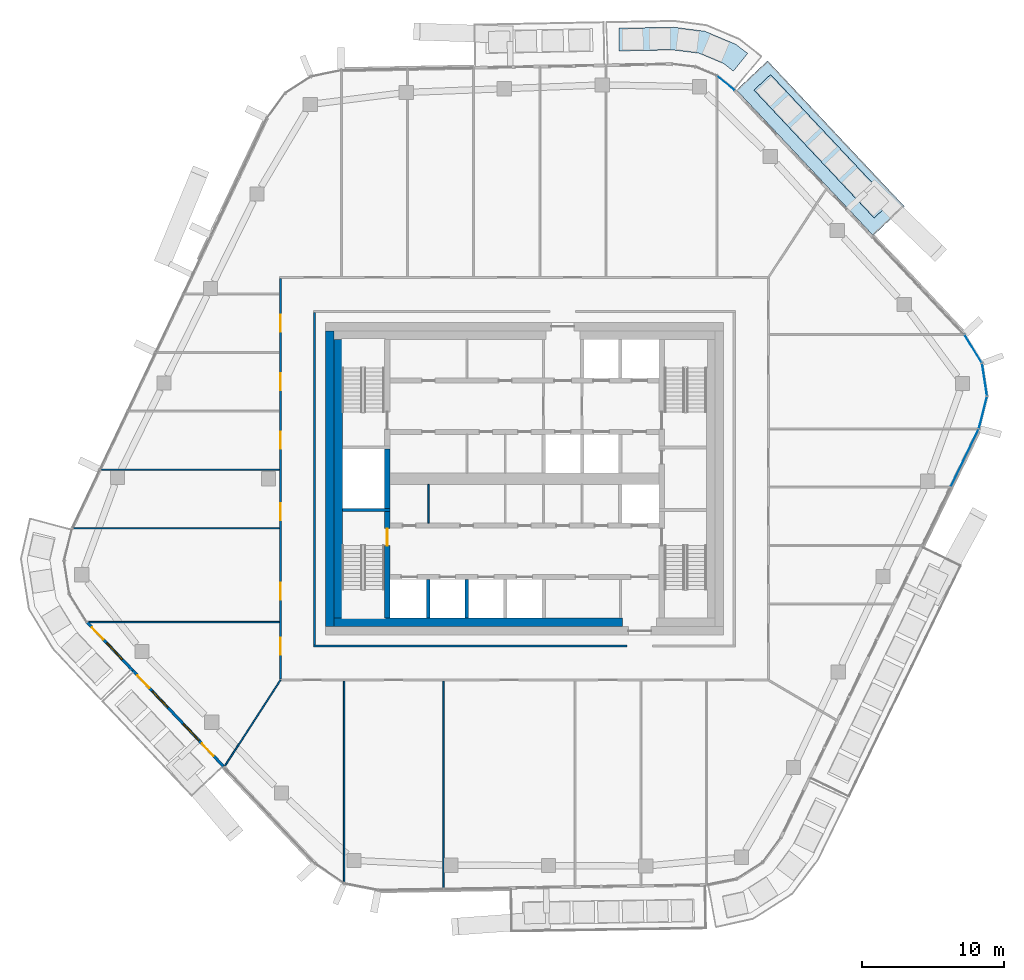
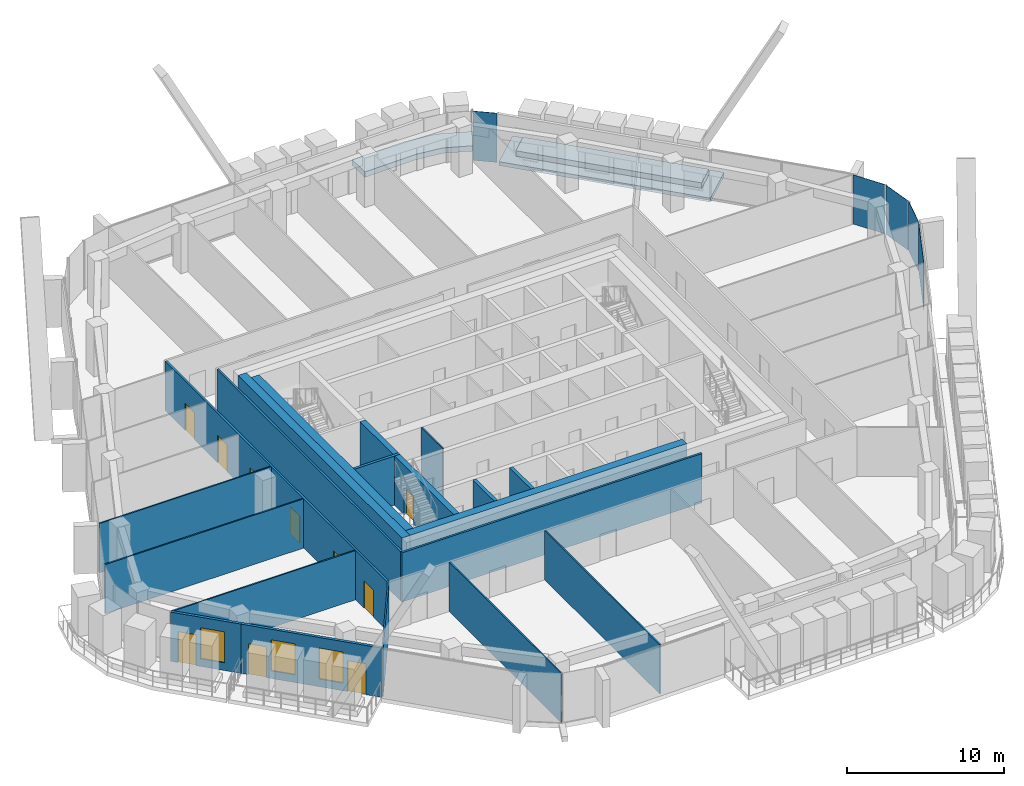
# One storey, part 12 of 24: 20 walls, 10 doors, 5 plates, 3 slabs, 3 windows, 13 openings, 3 elements without a shape of their own.
"""IFC4 building model written with IfcOpenShell, lengths in metres."""

from ifc_helpers import new_model, si_unit, direction, frame, frame_2d, origin, origin_2d, place, context, subcontext, project, spatial, polyline, rectangle, outline, extrude, material, layer, layer_set, type_object, element, fill, aggregate, save


model = new_model("IFC4")

# Units and contexts
model_context = context("Model", 3, precision=1e-05, world=origin(), true_north=direction((0.0, 1.0)))
body_context = subcontext(model_context, "Body", "Model", "MODEL_VIEW")
ifc_project = project(units=[si_unit("LENGTHUNIT", "METRE"), si_unit("AREAUNIT", "SQUARE_METRE"), si_unit("VOLUMEUNIT", "CUBIC_METRE"), si_unit("PLANEANGLEUNIT", "RADIAN"), si_unit("MASSUNIT", "GRAM", prefix="KILO")], contexts=[model_context])

# Site, building, storey
site_placement = place(None, origin())
site = spatial("IfcSite", under=ifc_project, at=site_placement, CompositionType="ELEMENT")
building_placement = place(site_placement, origin())
building = spatial("IfcBuilding", under=site, at=building_placement, Name="Dongbaek Canopy Tower", CompositionType="ELEMENT")
storey_placement = place(building_placement, frame((0.0, 0.0, 298.39990234375)))
storey = spatial("IfcBuildingStorey", under=building, at=storey_placement, Name="L63", CompositionType="ELEMENT", Elevation=298.39990234375)

# Slab
ifc_material_1 = material(Name="Concrete C40/50", Category="concrete")
ifc_layer_1 = layer(ifc_material_1, 0.300048828125)
ifc_layer_set_1 = layer_set([ifc_layer_1], Name="Balcony slab 300")
slab_type_1 = type_object("IfcSlabType", Name="Balcony slab 300", PredefinedType="FLOOR", material=ifc_layer_set_1)
slab_1_placement = place(storey_placement, frame((0.0, 0.0, -0.2998046875)))
element("IfcSlab", 1, at=slab_1_placement, inside=storey, type_object=slab_type_1, Name="Balcony L63 1", PredefinedType="FLOOR", context=body_context, shape_type="SweptSolid", body=[
    extrude(outline(polyline([(24.521240234375, 17.105224609375), (14.907958984375, 27.33447265625), (17.093994140625, 29.388916015625), (26.707275390625, 19.15966796875), (24.521240234375, 17.105224609375)])), origin(), (0.0, 0.0, 1.0), 0.2998046875),
])

# Curtain wall, plates
ifc_material_2 = material(Name="Aluminium 6063-T6 pale anodised", Category="aluminium")
ifc_layer_2 = layer(ifc_material_2, 0.199951171875)
ifc_layer_set_2 = layer_set([ifc_layer_2], Name="CW-1 unitised tower curtain wall")
curtain_wall_type = type_object("IfcCurtainWallType", Name="CW-1 unitised tower curtain wall", PredefinedType="NOTDEFINED", material=ifc_layer_set_2)
curtain_wall_1_placement = place(storey_placement, origin())
curtain_wall_1 = element("IfcCurtainWall", 2, at=curtain_wall_1_placement, inside=storey, type_object=curtain_wall_type, Name="CW-1 curtain wall K0.1", PredefinedType="NOTDEFINED")
ifc_material_3 = material(Name="Clear laminated glass", Category="glass")
ifc_layer_3 = layer(ifc_material_3, 0.028076171875)
ifc_layer_set_3 = layer_set([ifc_layer_3], Name="CW-1 glazed panel 28")
plate_type = type_object("IfcPlateType", Name="CW-1 glazed panel 28", PredefinedType="CURTAIN_PANEL", material=ifc_layer_set_3)
plate_1_placement = place(storey_placement, frame((32.23583984375, 4.656494140625, 0.0), z_axis=(0.0, 0.0, 1.0), x_axis=(0.247503311967, 0.968887047372, 0.0)))
plate_1 = element("IfcPlate", 3, at=plate_1_placement, type_object=plate_type, Name="CW-1 panel K0.1.1.1", PredefinedType="CURTAIN_PANEL", context=body_context, shape_type="SweptSolid", body=[
    extrude(rectangle(XDim=2.280029296875, YDim=0.028076171875, at=origin_2d()), origin(), (0.0, 0.0, 1.0), 3.820068359375),
])
plate_2_placement = place(storey_placement, frame((32.3505859375, 6.965087890625, 0.0), z_axis=(0.0, 0.0, 1.0), x_axis=(-0.151105947634, 0.988517573233, 0.0)))
plate_2 = element("IfcPlate", 4, at=plate_2_placement, type_object=plate_type, Name="CW-1 panel K0.1.2.1", PredefinedType="CURTAIN_PANEL", context=body_context, shape_type="SweptSolid", body=[
    extrude(rectangle(XDim=2.269775390625, YDim=0.028076171875, at=origin_2d()), origin(), (0.0, 0.0, 1.0), 3.820068359375),
])
plate_3_placement = place(storey_placement, frame((31.551513671875, 9.134033203125, 0.0), z_axis=(0.0, 0.0, 1.0), x_axis=(-0.525647852836, 0.850702259789, 0.0)))
plate_3 = element("IfcPlate", 5, at=plate_3_placement, type_object=plate_type, Name="CW-1 panel K0.1.3.1", PredefinedType="CURTAIN_PANEL", context=body_context, shape_type="SweptSolid", body=[
    extrude(rectangle(XDim=2.280029296875, YDim=0.028076171875, at=origin_2d()), origin(), (0.0, 0.0, 1.0), 3.820068359375),
])
aggregate(curtain_wall_1, [plate_1, plate_2, plate_3])

# Curtain wall, plate
curtain_wall_2_placement = place(storey_placement, origin())
curtain_wall_2 = element("IfcCurtainWall", 6, at=curtain_wall_2_placement, inside=storey, type_object=curtain_wall_type, Name="CW-1 curtain wall K1.1", PredefinedType="NOTDEFINED")
plate_4_placement = place(storey_placement, frame((14.164794921875, 27.8125, 0.0), z_axis=(0.0, 0.0, 1.0), x_axis=(-0.779328281128, 0.626615855396, 0.0)))
plate_4 = element("IfcPlate", 7, at=plate_4_placement, type_object=plate_type, Name="CW-1 panel K1.1.1.1", PredefinedType="CURTAIN_PANEL", context=body_context, shape_type="SweptSolid", body=[
    extrude(rectangle(XDim=1.560302734375, YDim=0.028076171875, at=origin_2d()), origin(), (0.0, 0.0, 1.0), 3.820068359375),
])
aggregate(curtain_wall_2, [plate_4])

curtain_wall_3_placement = place(storey_placement, origin())
curtain_wall_3 = element("IfcCurtainWall", 8, at=curtain_wall_3_placement, inside=storey, type_object=curtain_wall_type, Name="CW-1 curtain wall F5.1", PredefinedType="NOTDEFINED")
plate_5_placement = place(storey_placement, frame((30.951416015625, 1.462646484375, 0.1201171875), z_axis=(0.0, 0.0, 1.0), x_axis=(0.435863332121, 0.900012864193, 0.0)))
plate_5 = element("IfcPlate", 9, at=plate_5_placement, type_object=plate_type, Name="CW-1 panel F5.1.2.1", PredefinedType="CURTAIN_PANEL", context=body_context, shape_type="SweptSolid", body=[
    extrude(rectangle(XDim=4.468017578125, YDim=0.028076171875, at=origin_2d()), origin(), (0.0, 0.0, 1.0), 3.699951171875),
])
aggregate(curtain_wall_3, [plate_5])

# Slabs
ifc_material_4 = material(Name="Reinforced concrete C40/50 planter box with soil", Category="concrete")
ifc_layer_4 = layer(ifc_material_4, 0.419921875)
ifc_layer_set_4 = layer_set([ifc_layer_4], Name="Terrace planter box 1600 x 420")
slab_type_2 = type_object("IfcSlabType", Name="Terrace planter box 1600 x 420", PredefinedType="USERDEFINED", material=ifc_layer_set_4)
slab_2_placement = place(storey_placement, origin())
element("IfcSlab", 10, at=slab_2_placement, inside=storey, type_object=slab_type_2, Name="Balcony planter L63 1", ObjectType="PLANTER", PredefinedType="USERDEFINED", context=body_context, shape_type="SweptSolid", body=[
    extrude(outline(polyline([(24.587646484375, 18.334228515625), (16.138427734375, 27.324462890625), (17.304443359375, 28.420166015625), (25.75341796875, 19.429931640625), (24.587646484375, 18.334228515625)])), origin(), (0.0, 0.0, 1.0), 0.420166015625),
])
slab_3_placement = place(storey_placement, origin())
element("IfcSlab", 11, at=slab_3_placement, inside=storey, type_object=slab_type_2, Name="Balcony planter L63 6", ObjectType="PLANTER", PredefinedType="USERDEFINED", context=body_context, shape_type="SweptSolid", body=[
    extrude(outline(polyline([(14.69091796875, 28.65966796875), (14.03173828125, 29.1787109375), (12.26953125, 29.921142578125), (10.43310546875, 30.149658203125), (6.666015625, 30.08056640625), (6.6357421875, 31.68017578125), (10.51416015625, 31.74755859375), (12.68017578125, 31.467529296875), (14.851806640625, 30.552490234375), (15.693603515625, 29.90673828125), (14.69091796875, 28.65966796875)])), origin(), (0.0, 0.0, 1.0), 0.420166015625),
])

# Walls
ifc_material_5 = material(Name="Concrete C80/95", Category="concrete")
ifc_layer_5 = layer(ifc_material_5, 0.60009765625)
ifc_layer_set_5 = layer_set([ifc_layer_5], Name="Core outer wall 600 Concrete C80/95")
wall_type_1 = type_object("IfcWallType", Name="Core outer wall 600 Concrete C80/95", PredefinedType="SHEAR", material=ifc_layer_set_5)
wall_1_placement = place(storey_placement, frame((-13.699951171875, -10.39990234375, 0.0), z_axis=(0.0, 0.0, 1.0), x_axis=(0.0, 1.0, 0.0)))
element("IfcWall", 12, at=wall_1_placement, inside=storey, type_object=wall_type_1, Name="Core wall", PredefinedType="SHEAR", context=body_context, shape_type="SweptSolid", body=[
    extrude(rectangle(XDim=20.7998046875, YDim=0.60009765625, at=frame_2d((10.39990234375, 0.0))), origin(), (0.0, 0.0, 1.0), 3.820068359375),
])
ifc_material_6 = material(Name="Concrete C60/75", Category="concrete")
ifc_layer_6 = layer(ifc_material_6, 0.60009765625)
ifc_layer_set_6 = layer_set([ifc_layer_6], Name="Core wall lining 600 Concrete C60/75")
wall_type_2 = type_object("IfcWallType", Name="Core wall lining 600 Concrete C60/75", PredefinedType="SHEAR", material=ifc_layer_set_6)
wall_2_placement = place(storey_placement, frame((6.89990234375, -10.10009765625, 0.0), z_axis=(0.0, 0.0, 1.0), x_axis=(-1.0, 0.0, 0.0)))
element("IfcWall", 13, at=wall_2_placement, inside=storey, type_object=wall_type_2, Name="Core wall lining", PredefinedType="SHEAR", context=body_context, shape_type="SweptSolid", body=[
    extrude(rectangle(XDim=20.2998046875, YDim=0.60009765625, at=frame_2d((10.14990234375, 0.0))), origin(), (0.0, 0.0, 1.0), 3.820068359375),
])
wall_3_placement = place(storey_placement, frame((-13.10009765625, -9.800048828125, 0.0), z_axis=(0.0, 0.0, 1.0), x_axis=(0.0, 1.0, 0.0)))
element("IfcWall", 14, at=wall_3_placement, inside=storey, type_object=wall_type_2, Name="Core wall lining", PredefinedType="SHEAR", context=body_context, shape_type="SweptSolid", body=[
    extrude(rectangle(XDim=19.60009765625, YDim=0.60009765625, at=frame_2d((9.800048828125, 0.0))), origin(), (0.0, 0.0, 1.0), 3.820068359375),
])
ifc_material_7 = material(Name="Gypsum board partition, steel stud, 2 x 15 mm fire board", Category="steel")
ifc_layer_7 = layer(ifc_material_7, 0.14990234375)
ifc_layer_set_7 = layer_set([ifc_layer_7], Name="Fire-rated partition 150 gypsum board")
wall_type_3 = type_object("IfcWallType", Name="Fire-rated partition 150 gypsum board", PredefinedType="PARTITIONING", material=ifc_layer_set_7)
wall_4_placement = place(storey_placement, frame((-14.824951171875, -11.75, 0.0), z_axis=(0.0, 0.0, 1.0), x_axis=(1.0, 0.0, 0.0)))
element("IfcWall", 15, at=wall_4_placement, inside=storey, type_object=wall_type_3, Name="Corridor partition", PredefinedType="PARTITIONING", context=body_context, shape_type="SweptSolid", body=[
    extrude(rectangle(XDim=22.02490234375, YDim=0.14990234375, at=frame_2d((11.012451171875, 0.0))), origin(), (0.0, 0.0, 1.0), 3.820068359375),
])
wall_5_placement = place(storey_placement, frame((-14.75, -11.675048828125, 0.0), z_axis=(0.0, 0.0, 1.0), x_axis=(0.0, 1.0, 0.0)))
element("IfcWall", 16, at=wall_5_placement, inside=storey, type_object=wall_type_3, Name="Corridor partition", PredefinedType="PARTITIONING", context=body_context, shape_type="SweptSolid", body=[
    extrude(rectangle(XDim=23.35009765625, YDim=0.14990234375, at=frame_2d((11.675048828125, 0.0))), origin(), (0.0, 0.0, 1.0), 3.820068359375),
])

# Wall, openings, doors
wall_6_placement = place(storey_placement, frame((-17.14990234375, -14.074951171875, 0.0), z_axis=(0.0, 0.0, 1.0), x_axis=(0.0, 1.0, 0.0)))
wall_6 = element("IfcWall", 17, at=wall_6_placement, inside=storey, type_object=wall_type_3, Name="Corridor partition", PredefinedType="PARTITIONING", context=body_context, shape_type="SweptSolid", body=[
    extrude(rectangle(XDim=28.14990234375, YDim=0.14990234375, at=frame_2d((14.074951171875, 0.0))), origin(), (0.0, 0.0, 1.0), 3.820068359375),
])
opening_1_placement = place(wall_6_placement, frame((11.151123046875, 0.0, 0.0)))
opening_1 = element("IfcOpeningElement", 18, at=opening_1_placement, cuts=wall_6, Name="Opening L63-D001", PredefinedType="OPENING", context=body_context, shape_type="SweptSolid", body=[
    extrude(rectangle(XDim=1.199951171875, YDim=2.10009765625, at=frame_2d((0.60009765625, 1.050048828125))), frame((0.0, 0.0849609375, 0.0), z_axis=(0.0, -1.0, 0.0), x_axis=(1.0, 0.0, 0.0)), (0.0, 0.0, 1.0), 0.169921875),
])
opening_2_placement = place(wall_6_placement, frame((5.5546875, 0.0, 0.0)))
opening_2 = element("IfcOpeningElement", 19, at=opening_2_placement, cuts=wall_6, Name="Opening L63-D002", PredefinedType="OPENING", context=body_context, shape_type="SweptSolid", body=[
    extrude(rectangle(XDim=1.199951171875, YDim=2.10009765625, at=frame_2d((0.60009765625, 1.050048828125))), frame((0.0, 0.0849609375, 0.0), z_axis=(0.0, -1.0, 0.0), x_axis=(1.0, 0.0, 0.0)), (0.0, 0.0, 1.0), 0.169921875),
])
opening_3_placement = place(wall_6_placement, frame((1.7001953125, 0.0, 0.0)))
opening_3 = element("IfcOpeningElement", 20, at=opening_3_placement, cuts=wall_6, Name="Opening L63-D003", PredefinedType="OPENING", context=body_context, shape_type="SweptSolid", body=[
    extrude(rectangle(XDim=1.199951171875, YDim=2.10009765625, at=frame_2d((0.60009765625, 1.050048828125))), frame((0.0, 0.0849609375, 0.0), z_axis=(0.0, -1.0, 0.0), x_axis=(1.0, 0.0, 0.0)), (0.0, 0.0, 1.0), 0.169921875),
])
opening_4_placement = place(wall_6_placement, frame((24.40966796875, 0.0, 0.0)))
opening_4 = element("IfcOpeningElement", 21, at=opening_4_placement, cuts=wall_6, Name="Opening L63-D023", PredefinedType="OPENING", context=body_context, shape_type="SweptSolid", body=[
    extrude(rectangle(XDim=1.199951171875, YDim=2.10009765625, at=frame_2d((0.60009765625, 1.050048828125))), frame((0.0, 0.0849609375, 0.0), z_axis=(0.0, -1.0, 0.0), x_axis=(1.0, 0.0, 0.0)), (0.0, 0.0, 1.0), 0.169921875),
])
opening_5_placement = place(wall_6_placement, frame((20.2900390625, 0.0, 0.0)))
opening_5 = element("IfcOpeningElement", 22, at=opening_5_placement, cuts=wall_6, Name="Opening L63-D024", PredefinedType="OPENING", context=body_context, shape_type="SweptSolid", body=[
    extrude(rectangle(XDim=1.199951171875, YDim=2.10009765625, at=frame_2d((0.60009765625, 1.050048828125))), frame((0.0, 0.0849609375, 0.0), z_axis=(0.0, -1.0, 0.0), x_axis=(1.0, 0.0, 0.0)), (0.0, 0.0, 1.0), 0.169921875),
])
opening_6_placement = place(wall_6_placement, frame((16.17041015625, 0.0, 0.0)))
opening_6 = element("IfcOpeningElement", 23, at=opening_6_placement, cuts=wall_6, Name="Opening L63-D025", PredefinedType="OPENING", context=body_context, shape_type="SweptSolid", body=[
    extrude(rectangle(XDim=1.199951171875, YDim=2.10009765625, at=frame_2d((0.60009765625, 1.050048828125))), frame((0.0, 0.0849609375, 0.0), z_axis=(0.0, -1.0, 0.0), x_axis=(1.0, 0.0, 0.0)), (0.0, 0.0, 1.0), 0.169921875),
])
ifc_material_8 = material(Name="Timber veneered door leaf", Category="wood")
door_type_1 = type_object("IfcDoorType", Name="Room door 1200 x 2100", OperationType="SINGLE_SWING_LEFT", PredefinedType="DOOR", material=ifc_material_8)
door_1_placement = place(opening_1_placement, origin())
door_1 = element("IfcDoor", 24, at=door_1_placement, inside=storey, type_object=door_type_1, Name="Door L63-D001", OperationType="SINGLE_SWING_RIGHT", OverallHeight=2.10009765625, OverallWidth=1.199951171875, PredefinedType="DOOR", context=body_context, shape_type="SweptSolid", body=[
    extrude(rectangle(XDim=1.199951171875, YDim=2.10009765625, at=frame_2d((0.60009765625, 1.050048828125))), frame((0.0, 0.02490234375, 0.0), z_axis=(0.0, -1.0, 0.0), x_axis=(1.0, 0.0, 0.0)), (0.0, 0.0, 1.0), 0.050048828125),
])
fill(opening_1, door_1)
door_2_placement = place(opening_2_placement, origin())
door_2 = element("IfcDoor", 25, at=door_2_placement, inside=storey, type_object=door_type_1, Name="Door L63-D002", OperationType="SINGLE_SWING_LEFT", OverallHeight=2.10009765625, OverallWidth=1.199951171875, PredefinedType="DOOR", context=body_context, shape_type="SweptSolid", body=[
    extrude(rectangle(XDim=1.199951171875, YDim=2.10009765625, at=frame_2d((0.60009765625, 1.050048828125))), frame((0.0, 0.02490234375, 0.0), z_axis=(0.0, -1.0, 0.0), x_axis=(1.0, 0.0, 0.0)), (0.0, 0.0, 1.0), 0.050048828125),
])
fill(opening_2, door_2)
door_3_placement = place(opening_3_placement, origin())
door_3 = element("IfcDoor", 26, at=door_3_placement, inside=storey, type_object=door_type_1, Name="Door L63-D003", OperationType="SINGLE_SWING_RIGHT", OverallHeight=2.10009765625, OverallWidth=1.199951171875, PredefinedType="DOOR", context=body_context, shape_type="SweptSolid", body=[
    extrude(rectangle(XDim=1.199951171875, YDim=2.10009765625, at=frame_2d((0.60009765625, 1.050048828125))), frame((0.0, 0.02490234375, 0.0), z_axis=(0.0, -1.0, 0.0), x_axis=(1.0, 0.0, 0.0)), (0.0, 0.0, 1.0), 0.050048828125),
])
fill(opening_3, door_3)
door_4_placement = place(opening_4_placement, origin())
door_4 = element("IfcDoor", 27, at=door_4_placement, inside=storey, type_object=door_type_1, Name="Door L63-D023", OperationType="SINGLE_SWING_RIGHT", OverallHeight=2.10009765625, OverallWidth=1.199951171875, PredefinedType="DOOR", context=body_context, shape_type="SweptSolid", body=[
    extrude(rectangle(XDim=1.199951171875, YDim=2.10009765625, at=frame_2d((0.60009765625, 1.050048828125))), frame((0.0, 0.02490234375, 0.0), z_axis=(0.0, -1.0, 0.0), x_axis=(1.0, 0.0, 0.0)), (0.0, 0.0, 1.0), 0.050048828125),
])
fill(opening_4, door_4)
door_5_placement = place(opening_5_placement, origin())
door_5 = element("IfcDoor", 28, at=door_5_placement, inside=storey, type_object=door_type_1, Name="Door L63-D024", OperationType="SINGLE_SWING_LEFT", OverallHeight=2.10009765625, OverallWidth=1.199951171875, PredefinedType="DOOR", context=body_context, shape_type="SweptSolid", body=[
    extrude(rectangle(XDim=1.199951171875, YDim=2.10009765625, at=frame_2d((0.60009765625, 1.050048828125))), frame((0.0, 0.02490234375, 0.0), z_axis=(0.0, -1.0, 0.0), x_axis=(1.0, 0.0, 0.0)), (0.0, 0.0, 1.0), 0.050048828125),
])
fill(opening_5, door_5)
door_6_placement = place(opening_6_placement, origin())
door_6 = element("IfcDoor", 29, at=door_6_placement, inside=storey, type_object=door_type_1, Name="Door L63-D025", OperationType="SINGLE_SWING_RIGHT", OverallHeight=2.10009765625, OverallWidth=1.199951171875, PredefinedType="DOOR", context=body_context, shape_type="SweptSolid", body=[
    extrude(rectangle(XDim=1.199951171875, YDim=2.10009765625, at=frame_2d((0.60009765625, 1.050048828125))), frame((0.0, 0.02490234375, 0.0), z_axis=(0.0, -1.0, 0.0), x_axis=(1.0, 0.0, 0.0)), (0.0, 0.0, 1.0), 0.050048828125),
])
fill(opening_6, door_6)

# Walls
ifc_material_9 = material(Name="Concrete C40/50", Category="concrete")
ifc_layer_8 = layer(ifc_material_9, 0.25)
ifc_layer_set_8 = layer_set([ifc_layer_8], Name="Lift shaft wall 250 Concrete C40/50")
wall_type_4 = type_object("IfcWallType", Name="Lift shaft wall 250 Concrete C40/50", PredefinedType="SOLIDWALL", material=ifc_layer_set_8)
for number, where, z_axis, x_axis, name in (
    (30, (-4.050048828125, -9.800048828125, 0.0), (0.0, 0.0, 1.0), (0.0, 1.0, 0.0), "Lift shaft wall"),
    (31, (-6.75, -9.800048828125, 0.0), (0.0, 0.0, 1.0), (0.0, 1.0, 0.0), "Lift shaft wall"),
):
    element("IfcWall", number, at=place(storey_placement, frame(where, z_axis=z_axis, x_axis=x_axis)), inside=storey, type_object=wall_type_4, Name=name, PredefinedType="SOLIDWALL", context=body_context, shape_type="SweptSolid", body=[
        extrude(rectangle(XDim=2.72509765625, YDim=0.25, at=frame_2d((1.362548828125, 0.0))), origin(), (0.0, 0.0, 1.0), 3.820068359375),
    ])
ifc_material_10 = material(Name="Gypsum board partition, steel stud, 2 x 12.5 mm board", Category="steel")
ifc_layer_9 = layer(ifc_material_10, 0.10009765625)
ifc_layer_set_9 = layer_set([ifc_layer_9], Name="Partition 100 gypsum board")
wall_type_5 = type_object("IfcWallType", Name="Partition 100 gypsum board", PredefinedType="PARTITIONING", material=ifc_layer_set_9)
wall_7_placement = place(storey_placement, frame((-30.7255859375, -10.0791015625, 0.0), z_axis=(0.0, 0.0, 1.0), x_axis=(1.0, 0.0, 0.0)))
element("IfcWall", 32, at=wall_7_placement, inside=storey, type_object=wall_type_5, Name="Partition", PredefinedType="PARTITIONING", context=body_context, shape_type="SweptSolid", body=[
    extrude(rectangle(XDim=13.50048828125, YDim=0.10009765625, at=frame_2d((6.750244140625, 0.0))), origin(), (0.0, 0.0, 1.0), 3.820068359375),
])
wall_8_placement = place(storey_placement, frame((-31.777099609375, -3.47509765625, 0.0), z_axis=(0.0, 0.0, 1.0), x_axis=(1.0, 0.0, 0.0)))
element("IfcWall", 33, at=wall_8_placement, inside=storey, type_object=wall_type_5, Name="Partition", PredefinedType="PARTITIONING", context=body_context, shape_type="SweptSolid", body=[
    extrude(rectangle(XDim=14.552001953125, YDim=0.10009765625, at=frame_2d((7.27587890625, 0.0))), origin(), (0.0, 0.0, 1.0), 3.820068359375),
])
wall_9_placement = place(storey_placement, frame((-29.82421875, 0.635009765625, 0.0), z_axis=(0.0, 0.0, 1.0), x_axis=(1.0, 0.0, 0.0)))
element("IfcWall", 34, at=wall_9_placement, inside=storey, type_object=wall_type_5, Name="Partition", PredefinedType="PARTITIONING", context=body_context, shape_type="SweptSolid", body=[
    extrude(rectangle(XDim=12.59912109375, YDim=0.10009765625, at=frame_2d((6.299560546875, 0.0))), origin(), (0.0, 0.0, 1.0), 3.820068359375),
])
wall_10_placement = place(storey_placement, frame((-21.09912109375, -20.251953125, 0.0), z_axis=(0.0, 0.0, 1.0), x_axis=(0.543308378863, 0.839533206882, 0.0)))
element("IfcWall", 35, at=wall_10_placement, inside=storey, type_object=wall_type_5, Name="Partition", PredefinedType="PARTITIONING", context=body_context, shape_type="SweptSolid", body=[
    extrude(rectangle(XDim=7.268310546875, YDim=0.10009765625, at=frame_2d((3.63427734375, 0.0))), origin(), (0.0, 0.0, 1.0), 3.820068359375),
])
wall_11_placement = place(storey_placement, frame((-5.677001953125, -28.81982421875, 0.0), z_axis=(0.0, 0.0, 1.0), x_axis=(0.0, 1.0, 0.0)))
element("IfcWall", 36, at=wall_11_placement, inside=storey, type_object=wall_type_5, Name="Partition", PredefinedType="PARTITIONING", context=body_context, shape_type="SweptSolid", body=[
    extrude(rectangle(XDim=14.5947265625, YDim=0.10009765625, at=frame_2d((7.29736328125, 0.0))), origin(), (0.0, 0.0, 1.0), 3.820068359375),
])
wall_12_placement = place(storey_placement, frame((-12.680908203125, -28.424072265625, 0.0), z_axis=(0.0, 0.0, 1.0), x_axis=(0.0, 1.0, 0.0)))
element("IfcWall", 37, at=wall_12_placement, inside=storey, type_object=wall_type_5, Name="Partition", PredefinedType="PARTITIONING", context=body_context, shape_type="SweptSolid", body=[
    extrude(rectangle(XDim=14.198974609375, YDim=0.10009765625, at=frame_2d((7.099609375, 0.0))), origin(), (0.0, 0.0, 1.0), 3.820068359375),
])
wall_13_placement = place(storey_placement, frame((-6.75, -3.125, 0.0), z_axis=(0.0, 0.0, 1.0), x_axis=(0.0, 1.0, 0.0)))
element("IfcWall", 38, at=wall_13_placement, inside=storey, type_object=wall_type_5, Name="Core partition", PredefinedType="PARTITIONING", context=body_context, shape_type="SweptSolid", body=[
    extrude(rectangle(XDim=2.72509765625, YDim=0.10009765625, at=frame_2d((1.362548828125, 0.0))), origin(), (0.0, 0.0, 1.0), 3.820068359375),
])
ifc_material_11 = material(Name="Concrete C60/75", Category="concrete")
ifc_layer_10 = layer(ifc_material_11, 0.199951171875)
ifc_layer_set_10 = layer_set([ifc_layer_10], Name="Riser wall 200 Concrete C60/75")
wall_type_6 = type_object("IfcWallType", Name="Riser wall 200 Concrete C60/75", PredefinedType="SHEAR", material=ifc_layer_set_10)
wall_14_placement = place(storey_placement, frame((-9.449951171875, -2.199951171875, 0.0), z_axis=(0.0, 0.0, 1.0), x_axis=(-1.0, 0.0, 0.0)))
element("IfcWall", 39, at=wall_14_placement, inside=storey, type_object=wall_type_6, Name="Riser wall", PredefinedType="SHEAR", context=body_context, shape_type="SweptSolid", body=[
    extrude(rectangle(XDim=3.35009765625, YDim=0.199951171875, at=frame_2d((1.675048828125, 0.0))), origin(), (0.0, 0.0, 1.0), 3.820068359375),
])

# Wall, opening, door
ifc_material_12 = material(Name="Concrete C60/75", Category="concrete")
ifc_layer_11 = layer(ifc_material_12, 0.39990234375)
ifc_layer_set_11 = layer_set([ifc_layer_11], Name="Stair wall 400 Concrete C60/75")
wall_type_7 = type_object("IfcWallType", Name="Stair wall 400 Concrete C60/75", PredefinedType="SHEAR", material=ifc_layer_set_11)
wall_15_placement = place(storey_placement, frame((-9.64990234375, -9.800048828125, 0.0), z_axis=(0.0, 0.0, 1.0), x_axis=(0.0, 1.0, 0.0)))
wall_15 = element("IfcWall", 40, at=wall_15_placement, inside=storey, type_object=wall_type_7, Name="Stair wall", PredefinedType="SHEAR", context=body_context, shape_type="SweptSolid", body=[
    extrude(rectangle(XDim=7.5, YDim=0.39990234375, at=frame_2d((3.75, 0.0))), origin(), (0.0, 0.0, 1.0), 3.820068359375),
])
opening_7_placement = place(wall_15_placement, frame((5.10009765625, 0.0, 0.0)))
opening_7 = element("IfcOpeningElement", 41, at=opening_7_placement, cuts=wall_15, Name="Opening L63-D055", PredefinedType="OPENING", context=body_context, shape_type="SweptSolid", body=[
    extrude(rectangle(XDim=1.199951171875, YDim=2.10009765625, at=frame_2d((0.60009765625, 1.050048828125))), frame((0.0, 0.2099609375, 0.0), z_axis=(0.0, -1.0, 0.0), x_axis=(1.0, 0.0, 0.0)), (0.0, 0.0, 1.0), 0.419921875),
])
ifc_material_13 = material(Name="Steel", Category="steel")
door_type_2 = type_object("IfcDoorType", Name="Stair door 1200 x 2100", OperationType="SINGLE_SWING_LEFT", PredefinedType="DOOR", material=ifc_material_13)
door_7_placement = place(opening_7_placement, origin())
door_7 = element("IfcDoor", 42, at=door_7_placement, inside=storey, type_object=door_type_2, Name="Stair D door", OperationType="SINGLE_SWING_LEFT", OverallHeight=2.10009765625, OverallWidth=1.199951171875, PredefinedType="DOOR", context=body_context, shape_type="SweptSolid", body=[
    extrude(rectangle(XDim=1.199951171875, YDim=2.10009765625, at=frame_2d((0.60009765625, 1.050048828125))), frame((0.0, 0.02490234375, 0.0), z_axis=(0.0, -1.0, 0.0), x_axis=(1.0, 0.0, 0.0)), (0.0, 0.0, 1.0), 0.050048828125),
])
fill(opening_7, door_7)

# Wall
wall_16_placement = place(storey_placement, frame((-9.64990234375, -2.10009765625, 0.0), z_axis=(0.0, 0.0, 1.0), x_axis=(0.0, 1.0, 0.0)))
element("IfcWall", 43, at=wall_16_placement, inside=storey, type_object=wall_type_7, Name="Stair wall", PredefinedType="SHEAR", context=body_context, shape_type="SweptSolid", body=[
    extrude(rectangle(XDim=4.2001953125, YDim=0.39990234375, at=frame_2d((2.10009765625, 0.0))), origin(), (0.0, 0.0, 1.0), 3.820068359375),
])

# Wall, openings, doors, windows
ifc_material_14 = material(Name="Aluminium window wall", Category="aluminium")
ifc_layer_12 = layer(ifc_material_14, 0.199951171875)
ifc_layer_set_12 = layer_set([ifc_layer_12], Name="Window wall 200")
wall_type_8 = type_object("IfcWallType", Name="Window wall 200", PredefinedType="SOLIDWALL", material=ifc_layer_set_12)
wall_17_placement = place(storey_placement, frame((-27.54345703125, -13.470703125, 0.0), z_axis=(0.0, 0.0, 1.0), x_axis=(0.687314061727, -0.726360365488, 0.0)))
wall_17 = element("IfcWall", 44, at=wall_17_placement, inside=storey, type_object=wall_type_8, Name="Window wall L63 3", PredefinedType="SOLIDWALL", context=body_context, shape_type="SweptSolid", body=[
    extrude(rectangle(XDim=9.360107421875, YDim=0.199951171875, at=frame_2d((4.68017578125, 0.0))), origin(), (0.0, 0.0, 1.0), 3.820068359375),
])
opening_8_placement = place(wall_17_placement, frame((2.0, 0.0, 0.60009765625)))
opening_8 = element("IfcOpeningElement", 45, at=opening_8_placement, cuts=wall_17, Name="Opening W1", PredefinedType="OPENING", context=body_context, shape_type="SweptSolid", body=[
    extrude(rectangle(XDim=1.60009765625, YDim=2.39990234375, at=frame_2d((0.800048828125, 1.199951171875))), frame((0.0, 0.10986328125, 0.0), z_axis=(0.0, -1.0, 0.0), x_axis=(1.0, 0.0, 0.0)), (0.0, 0.0, 1.0), 0.219970703125),
])
opening_9_placement = place(wall_17_placement, frame((0.5, 0.0, 0.0)))
opening_9 = element("IfcOpeningElement", 46, at=opening_9_placement, cuts=wall_17, Name="Opening L63-B07", PredefinedType="OPENING", context=body_context, shape_type="SweptSolid", body=[
    extrude(rectangle(XDim=1.199951171875, YDim=2.39990234375, at=frame_2d((0.60009765625, 1.199951171875))), frame((0.0, 0.10986328125, 0.0), z_axis=(0.0, -1.0, 0.0), x_axis=(1.0, 0.0, 0.0)), (0.0, 0.0, 1.0), 0.219970703125),
])
opening_10_placement = place(wall_17_placement, frame((5.179931640625, 0.0, 0.60009765625)))
opening_10 = element("IfcOpeningElement", 47, at=opening_10_placement, cuts=wall_17, Name="Opening W1", PredefinedType="OPENING", context=body_context, shape_type="SweptSolid", body=[
    extrude(rectangle(XDim=1.60009765625, YDim=2.39990234375, at=frame_2d((0.800048828125, 1.199951171875))), frame((0.0, 0.10986328125, 0.0), z_axis=(0.0, -1.0, 0.0), x_axis=(1.0, 0.0, 0.0)), (0.0, 0.0, 1.0), 0.219970703125),
])
opening_11_placement = place(wall_17_placement, frame((7.080078125, 0.0, 0.0)))
opening_11 = element("IfcOpeningElement", 48, at=opening_11_placement, cuts=wall_17, Name="Opening L63-B08", PredefinedType="OPENING", context=body_context, shape_type="SweptSolid", body=[
    extrude(rectangle(XDim=1.199951171875, YDim=2.39990234375, at=frame_2d((0.60009765625, 1.199951171875))), frame((0.0, 0.10986328125, 0.0), z_axis=(0.0, -1.0, 0.0), x_axis=(1.0, 0.0, 0.0)), (0.0, 0.0, 1.0), 0.219970703125),
])
ifc_material_15 = material(Name="Clear glazing in aluminium frame", Category="aluminium")
door_type_3 = type_object("IfcDoorType", Name="Balcony door BD1 1200 x 2400", OperationType="SLIDING_TO_LEFT", PredefinedType="DOOR", material=ifc_material_15)
door_8_placement = place(opening_9_placement, origin())
door_8 = element("IfcDoor", 49, at=door_8_placement, inside=storey, type_object=door_type_3, Name="Balcony door L63-B07", OperationType="SLIDING_TO_LEFT", OverallHeight=2.39990234375, OverallWidth=1.199951171875, PredefinedType="DOOR", context=body_context, shape_type="SweptSolid", body=[
    extrude(rectangle(XDim=1.199951171875, YDim=2.39990234375, at=frame_2d((0.60009765625, 1.199951171875))), frame((0.0, 0.02490234375, 0.0), z_axis=(0.0, -1.0, 0.0), x_axis=(1.0, 0.0, 0.0)), (0.0, 0.0, 1.0), 0.050048828125),
])
fill(opening_9, door_8)
door_9_placement = place(opening_11_placement, origin())
door_9 = element("IfcDoor", 50, at=door_9_placement, inside=storey, type_object=door_type_3, Name="Balcony door L63-B08", OperationType="SLIDING_TO_LEFT", OverallHeight=2.39990234375, OverallWidth=1.199951171875, PredefinedType="DOOR", context=body_context, shape_type="SweptSolid", body=[
    extrude(rectangle(XDim=1.199951171875, YDim=2.39990234375, at=frame_2d((0.60009765625, 1.199951171875))), frame((0.0, 0.02490234375, 0.0), z_axis=(0.0, -1.0, 0.0), x_axis=(1.0, 0.0, 0.0)), (0.0, 0.0, 1.0), 0.050048828125),
])
fill(opening_11, door_9)
ifc_material_16 = material(Name="Clear glazing in aluminium frame", Category="aluminium")
window_type = type_object("IfcWindowType", Name="Window W1 1600 x 2400", PartitioningType="SINGLE_PANEL", PredefinedType="WINDOW", material=ifc_material_16)
window_1_placement = place(opening_8_placement, origin())
window_1 = element("IfcWindow", 51, at=window_1_placement, inside=storey, type_object=window_type, Name="Window L63 3.1", OverallHeight=2.39990234375, OverallWidth=1.60009765625, PartitioningType="SINGLE_PANEL", PredefinedType="WINDOW", context=body_context, shape_type="SweptSolid", body=[
    extrude(rectangle(XDim=1.60009765625, YDim=2.39990234375, at=frame_2d((0.800048828125, 1.199951171875))), frame((0.0, 0.030029296875, 0.0), z_axis=(0.0, -1.0, 0.0), x_axis=(1.0, 0.0, 0.0)), (0.0, 0.0, 1.0), 0.06005859375),
])
fill(opening_8, window_1)
window_2_placement = place(opening_10_placement, origin())
window_2 = element("IfcWindow", 52, at=window_2_placement, inside=storey, type_object=window_type, Name="Window L63 3.2", OverallHeight=2.39990234375, OverallWidth=1.60009765625, PartitioningType="SINGLE_PANEL", PredefinedType="WINDOW", context=body_context, shape_type="SweptSolid", body=[
    extrude(rectangle(XDim=1.60009765625, YDim=2.39990234375, at=frame_2d((0.800048828125, 1.199951171875))), frame((0.0, 0.030029296875, 0.0), z_axis=(0.0, -1.0, 0.0), x_axis=(1.0, 0.0, 0.0)), (0.0, 0.0, 1.0), 0.06005859375),
])
fill(opening_10, window_2)

# Wall, openings, door, window
wall_18_placement = place(storey_placement, frame((-30.753173828125, -10.07861328125, 0.0), z_axis=(0.0, 0.0, 1.0), x_axis=(0.687310953658, -0.726363306467, 0.0)))
wall_18 = element("IfcWall", 53, at=wall_18_placement, inside=storey, type_object=wall_type_8, Name="Window wall L63 7", PredefinedType="SOLIDWALL", context=body_context, shape_type="SweptSolid", body=[
    extrude(rectangle(XDim=4.669921875, YDim=0.199951171875, at=frame_2d((2.3349609375, 0.0))), origin(), (0.0, 0.0, 1.0), 3.820068359375),
])
opening_12_placement = place(wall_18_placement, frame((2.0, 0.0, 0.60009765625)))
opening_12 = element("IfcOpeningElement", 54, at=opening_12_placement, cuts=wall_18, Name="Opening W1", PredefinedType="OPENING", context=body_context, shape_type="SweptSolid", body=[
    extrude(rectangle(XDim=1.60009765625, YDim=2.39990234375, at=frame_2d((0.800048828125, 1.199951171875))), frame((0.0, 0.10986328125, 0.0), z_axis=(0.0, -1.0, 0.0), x_axis=(1.0, 0.0, 0.0)), (0.0, 0.0, 1.0), 0.219970703125),
])
opening_13_placement = place(wall_18_placement, frame((0.5, 0.0, 0.0)))
opening_13 = element("IfcOpeningElement", 55, at=opening_13_placement, cuts=wall_18, Name="Opening L63-B09", PredefinedType="OPENING", context=body_context, shape_type="SweptSolid", body=[
    extrude(rectangle(XDim=1.199951171875, YDim=2.39990234375, at=frame_2d((0.60009765625, 1.199951171875))), frame((0.0, 0.10986328125, 0.0), z_axis=(0.0, -1.0, 0.0), x_axis=(1.0, 0.0, 0.0)), (0.0, 0.0, 1.0), 0.219970703125),
])
door_10_placement = place(opening_13_placement, origin())
door_10 = element("IfcDoor", 56, at=door_10_placement, inside=storey, type_object=door_type_3, Name="Balcony door L63-B09", OperationType="SLIDING_TO_LEFT", OverallHeight=2.39990234375, OverallWidth=1.199951171875, PredefinedType="DOOR", context=body_context, shape_type="SweptSolid", body=[
    extrude(rectangle(XDim=1.199951171875, YDim=2.39990234375, at=frame_2d((0.60009765625, 1.199951171875))), frame((0.0, 0.02490234375, 0.0), z_axis=(0.0, -1.0, 0.0), x_axis=(1.0, 0.0, 0.0)), (0.0, 0.0, 1.0), 0.050048828125),
])
fill(opening_13, door_10)
window_3_placement = place(opening_12_placement, origin())
window_3 = element("IfcWindow", 57, at=window_3_placement, inside=storey, type_object=window_type, Name="Window L63 7.1", OverallHeight=2.39990234375, OverallWidth=1.60009765625, PartitioningType="SINGLE_PANEL", PredefinedType="WINDOW", context=body_context, shape_type="SweptSolid", body=[
    extrude(rectangle(XDim=1.60009765625, YDim=2.39990234375, at=frame_2d((0.800048828125, 1.199951171875))), frame((0.0, 0.030029296875, 0.0), z_axis=(0.0, -1.0, 0.0), x_axis=(1.0, 0.0, 0.0)), (0.0, 0.0, 1.0), 0.06005859375),
])
fill(opening_12, window_3)

save(model, "model.ifc")
